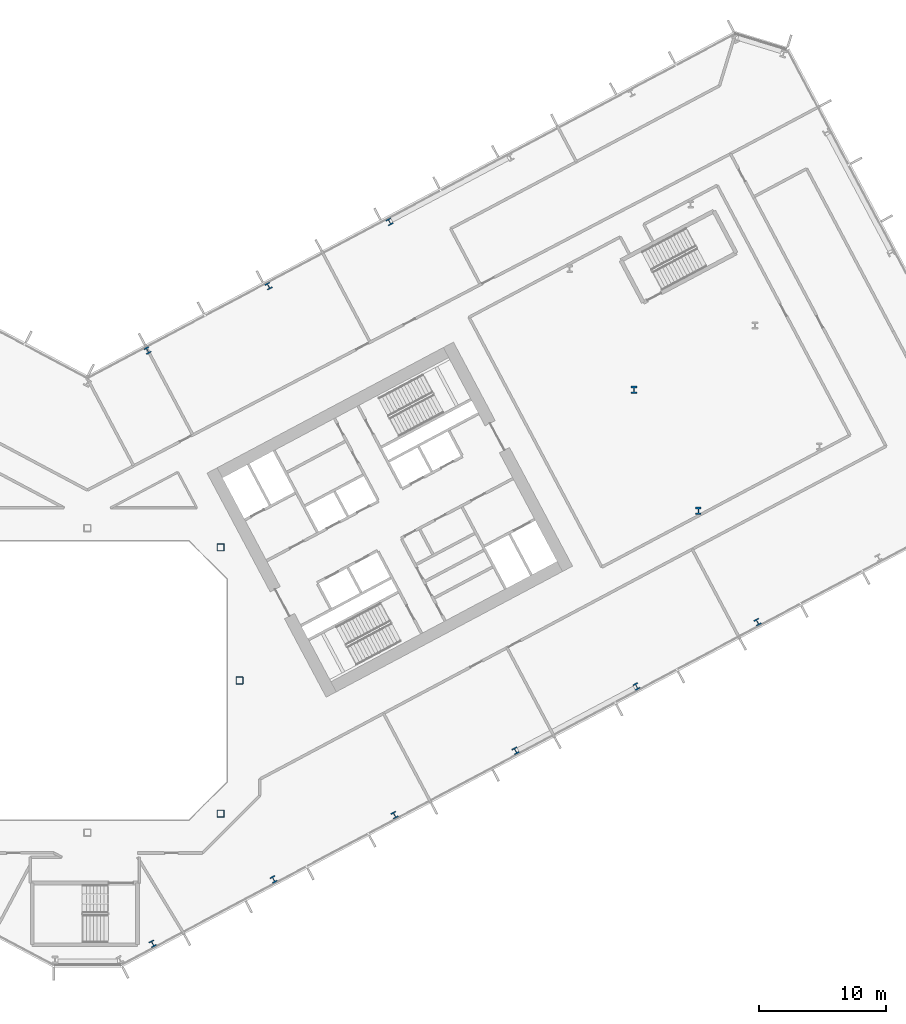
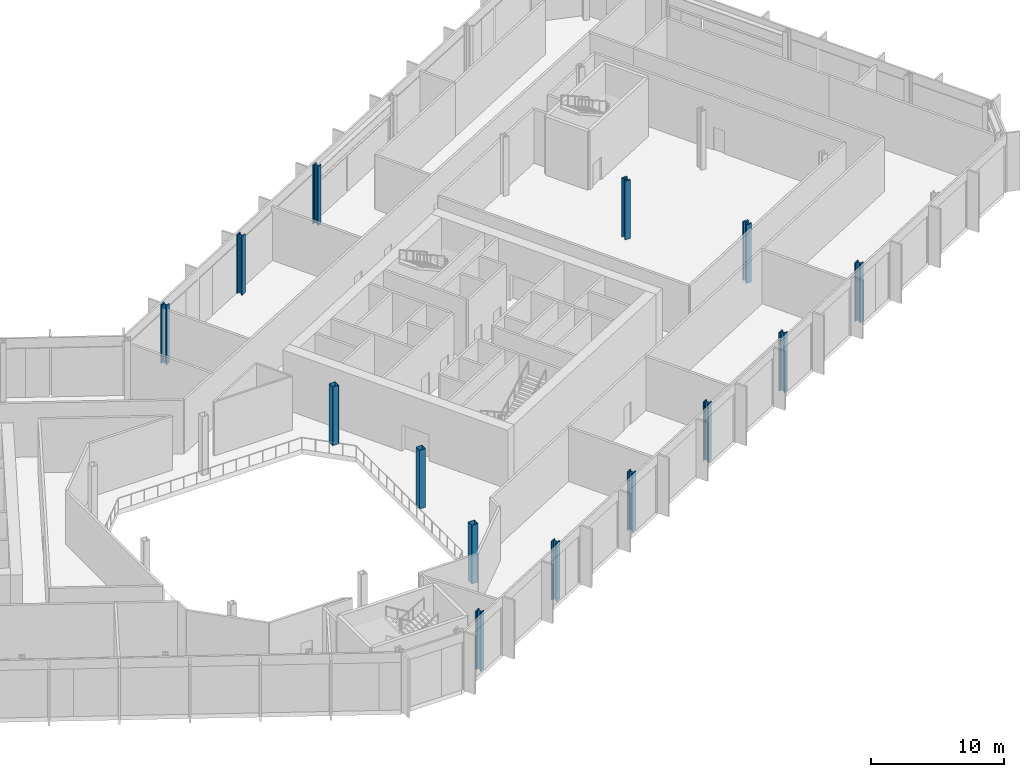
# One storey, part 3 of 32: 14 columns.
"""IFC4 building model written with IfcOpenShell, lengths in metres."""

from ifc_helpers import new_model, si_unit, direction, frame, origin, origin_2d, place, context, subcontext, project, spatial, hollow_rectangle, i_section, extrude, material, material_profile, profile_set, type_object, element, save


model = new_model("IFC4")

# Units and contexts
model_context = context("Model", 3, precision=1e-05, world=origin(), true_north=direction((0.0, 1.0)))
body_context = subcontext(model_context, "Body", "Model", "MODEL_VIEW")
ifc_project = project(units=[si_unit("LENGTHUNIT", "METRE"), si_unit("AREAUNIT", "SQUARE_METRE"), si_unit("VOLUMEUNIT", "CUBIC_METRE"), si_unit("PLANEANGLEUNIT", "RADIAN"), si_unit("MASSUNIT", "GRAM", prefix="KILO")], contexts=[model_context])

# Site, building, storey
site_placement = place(None, origin())
site = spatial("IfcSite", under=ifc_project, at=site_placement, CompositionType="ELEMENT")
building_placement = place(site_placement, origin())
building = spatial("IfcBuilding", under=site, at=building_placement, Name="Cormorant Relay Tower", CompositionType="ELEMENT")
storey_placement = place(building_placement, frame((0.0, 0.0, 17.60009765625)))
storey = spatial("IfcBuildingStorey", under=building, at=storey_placement, Name="L03", CompositionType="ELEMENT", Elevation=17.60009765625)

# Columns
ifc_material_1 = material(Name="Steel ASTM A1085 Grade A (Fy 345 MPa)", Category="steel")
ifc_material_profile_1 = material_profile(ifc_material_1, hollow_rectangle(XDim=0.558837890625, YDim=0.558837890625, WallThickness=0.023681640625, InnerFilletRadius=0.01171875, OuterFilletRadius=0.035400390625, at=origin_2d()), Name="HSS559x559x24")
ifc_profile_set_1 = profile_set([ifc_material_profile_1], Name="Steel ASTM A1085 Grade A (Fy 345 MPa)")
column_type_1 = type_object("IfcColumnType", Name="Column HSS559x559x24", PredefinedType="COLUMN", material=ifc_profile_set_1)
for number, where, z_axis, x_axis, name in (
    (1, (10.5, -10.5, 0.0), (0.0, 0.0, 1.0), (1.0, 0.0, 0.0), "Column L03-010"),
    (2, (12.0, 0.0, 0.0), (0.0, 0.0, 1.0), (1.0, 0.0, 0.0), "Column L03-016"),
    (3, (10.5, 10.5, 0.0), (0.0, 0.0, 1.0), (1.0, 0.0, 0.0), "Column L03-023"),
):
    element("IfcColumn", number, at=place(storey_placement, frame(where, z_axis=z_axis, x_axis=x_axis)), inside=storey, type_object=column_type_1, Name=name, PredefinedType="COLUMN", context=body_context, shape_type="SweptSolid", body=[
        extrude(hollow_rectangle(XDim=0.558837890625, YDim=0.558837890625, WallThickness=0.023681640625, InnerFilletRadius=0.01171875, OuterFilletRadius=0.035400390625, at=origin_2d()), origin(), (0.0, 0.0, 1.0), 5.39990234375),
    ])
ifc_material_2 = material(Name="Steel ASTM A992 (Fy 345 MPa)", Category="steel")
ifc_material_profile_2 = material_profile(ifc_material_2, i_section(OverallWidth=0.45458984375, OverallDepth=0.569091796875, WebThickness=0.077880859375, FlangeThickness=0.124755859375, FilletRadius=0.015380859375, at=origin_2d()), Name="W360x1086")
ifc_profile_set_2 = profile_set([ifc_material_profile_2], Name="Steel ASTM A992 (Fy 345 MPa)")
column_type_2 = type_object("IfcColumnType", Name="Column W360x1086", PredefinedType="COLUMN", material=ifc_profile_set_2)
for number, where, z_axis, x_axis, name in (
    (4, (48.157958984375, 13.3740234375, 0.0), (0.0, 0.0, 1.0), (1.0, 0.0, 0.0), "Column L03-025"),
    (5, (43.087890625, 22.909912109375, 0.0), (0.0, 0.0, 1.0), (1.0, 0.0, 0.0), "Column L03-031"),
):
    element("IfcColumn", number, at=place(storey_placement, frame(where, z_axis=z_axis, x_axis=x_axis)), inside=storey, type_object=column_type_2, Name=name, PredefinedType="COLUMN", context=body_context, shape_type="SweptSolid", body=[
        extrude(i_section(OverallWidth=0.45458984375, OverallDepth=0.569091796875, WebThickness=0.077880859375, FlangeThickness=0.124755859375, FilletRadius=0.015380859375, at=origin_2d()), origin(), (0.0, 0.0, 1.0), 5.39990234375),
    ])
ifc_material_3 = material(Name="Steel ASTM A992 (Fy 345 MPa)", Category="steel")
ifc_material_profile_3 = material_profile(ifc_material_3, i_section(OverallWidth=0.43701171875, OverallDepth=0.51318359375, WebThickness=0.060546875, FlangeThickness=0.096923828125, FilletRadius=0.015380859375, at=origin_2d()), Name="W360x818")
ifc_profile_set_3 = profile_set([ifc_material_profile_3], Name="Steel ASTM A992 (Fy 345 MPa)")
column_type_3 = type_object("IfcColumnType", Name="Column W360x818", PredefinedType="COLUMN", material=ifc_profile_set_3)
for number, where, z_axis, x_axis, name in (
    (6, (5.14599609375, -20.75390625, 0.0), (0.0, 0.0, 1.0), (0.882947592859, 0.469471562786, 0.0), "Column L03-003"),
    (7, (14.680908203125, -15.68310546875, 0.0), (0.0, 0.0, 1.0), (0.882947592859, 0.469471562786, 0.0), "Column L03-005"),
    (8, (24.217041015625, -10.613037109375, 0.0), (0.0, 0.0, 1.0), (0.882947592859, 0.469471562786, 0.0), "Column L03-008"),
    (9, (33.7529296875, -5.54296875, 0.0), (0.0, 0.0, 1.0), (0.882947592859, 0.469471562786, 0.0), "Column L03-012"),
    (10, (43.2890625, -0.471923828125, 0.0), (0.0, 0.0, 1.0), (0.882947592859, 0.469471562786, 0.0), "Column L03-014"),
    (11, (52.824951171875, 4.597900390625, 0.0), (0.0, 0.0, 1.0), (0.882947592859, 0.469471562786, 0.0), "Column L03-019"),
    (12, (4.743896484375, 26.011962890625, 0.0), (0.0, 0.0, 1.0), (-0.882947592859, -0.469471562786, 0.0), "Column L03-035"),
    (13, (14.279052734375, 31.08203125, 0.0), (0.0, 0.0, 1.0), (-0.882947592859, -0.469471562786, 0.0), "Column L03-039"),
    (14, (23.81494140625, 36.152099609375, 0.0), (0.0, 0.0, 1.0), (-0.882947592859, -0.469471562786, 0.0), "Column L03-044"),
):
    element("IfcColumn", number, at=place(storey_placement, frame(where, z_axis=z_axis, x_axis=x_axis)), inside=storey, type_object=column_type_3, Name=name, PredefinedType="COLUMN", context=body_context, shape_type="SweptSolid", body=[
        extrude(i_section(OverallWidth=0.43701171875, OverallDepth=0.51318359375, WebThickness=0.060546875, FlangeThickness=0.096923828125, FilletRadius=0.015380859375, at=origin_2d()), origin(), (0.0, 0.0, 1.0), 5.39990234375),
    ])

save(model, "model.ifc")
